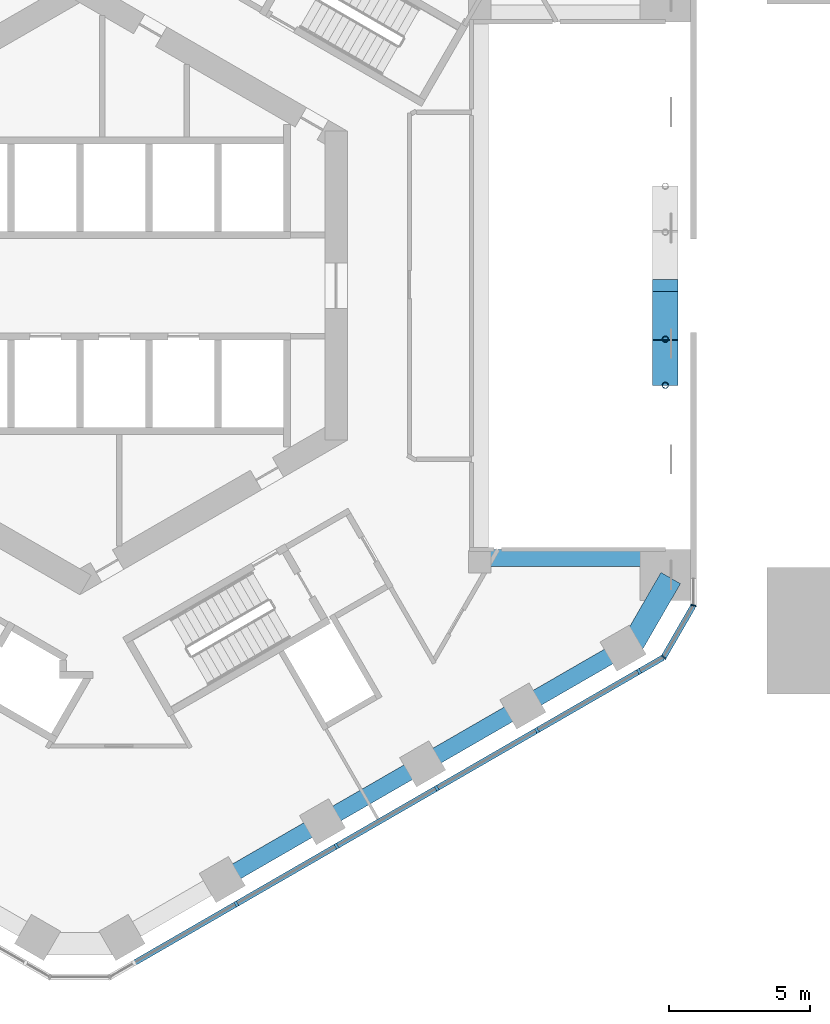
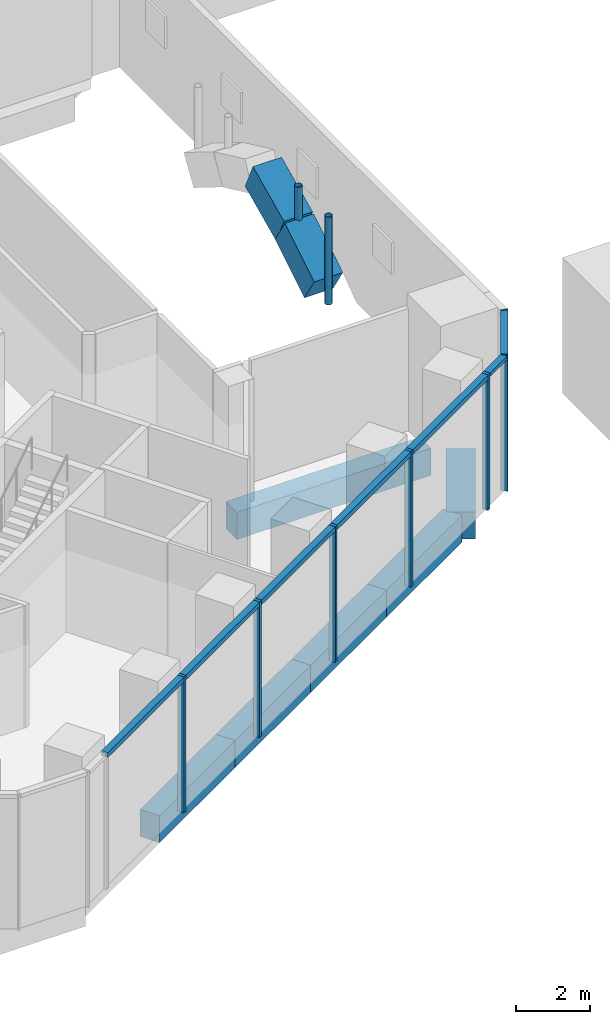
# One storey, part 4 of 14: 12 members, 8 beams, 2 elements without a shape of their own.
"""IFC4 building model written with IfcOpenShell, lengths in metres."""

from ifc_helpers import new_model, si_unit, direction, frame, origin, origin_2d, place, context, subcontext, project, spatial, rectangle, hollow_circle, extrude, material, layer, layer_set, material_profile, profile_set, type_object, element, aggregate, save


model = new_model("IFC4")

# Units and contexts
model_context = context("Model", 3, precision=1e-05, world=origin(), true_north=direction((0.0, 1.0)))
body_context = subcontext(model_context, "Body", "Model", "MODEL_VIEW")
ifc_project = project(units=[si_unit("LENGTHUNIT", "METRE"), si_unit("AREAUNIT", "SQUARE_METRE"), si_unit("VOLUMEUNIT", "CUBIC_METRE"), si_unit("PLANEANGLEUNIT", "RADIAN"), si_unit("MASSUNIT", "GRAM", prefix="KILO")], contexts=[model_context])

# Site, building, storey
site_placement = place(None, origin())
site = spatial("IfcSite", under=ifc_project, at=site_placement, CompositionType="ELEMENT")
building_placement = place(site_placement, origin())
building = spatial("IfcBuilding", under=site, at=building_placement, Name="Ayvan Gate Tower", CompositionType="ELEMENT")
storey_placement = place(building_placement, frame((0.0, 0.0, 16.0)))
storey = spatial("IfcBuildingStorey", under=building, at=storey_placement, Name="L03", CompositionType="ELEMENT", Elevation=16.0)

# Beams
ifc_material_1 = material(Name="Concrete C60/75", Category="concrete")
ifc_material_profile_1 = material_profile(ifc_material_1, rectangle(XDim=0.89990234375, YDim=1.0, at=origin_2d()), Name="RC 900x1000")
ifc_profile_set_1 = profile_set([ifc_material_profile_1], Name="Concrete C60/75")
beam_type_1 = type_object("IfcBeamType", Name="Arch rib RC 900x1000 C60/75", PredefinedType="BEAM", material=ifc_profile_set_1)
for number, where, z_axis, x_axis, name in (
    (1, (20.78466796875, -3.271484375, 0.762939453125), (0.0, 0.848813766161, 0.528691961709), (-1.0, 0.0, 0.0), "AR-0-9"),
    (2, (20.78466796875, -1.688720703125, 1.748779296875), (0.0, 0.905627110622, 0.424074918506), (-1.0, 0.0, 0.0), "AR-0-10"),
):
    element("IfcBeam", number, at=place(storey_placement, frame(where, z_axis=z_axis, x_axis=x_axis)), inside=storey, type_object=beam_type_1, Name=name, PredefinedType="BEAM", context=body_context, shape_type="SweptSolid", body=[
        extrude(rectangle(XDim=0.89990234375, YDim=1.0, at=origin_2d()), origin(), (0.0, 0.0, 1.0), 1.86474609375),
    ])

# Members
ifc_material_2 = material(Name="Steel S460NH", Category="steel")
ifc_material_profile_2 = material_profile(ifc_material_2, hollow_circle(Radius=0.109619140625, WallThickness=0.012451171875, at=origin_2d()), Name="CHS 219.1x12.5")
ifc_profile_set_2 = profile_set([ifc_material_profile_2], Name="Steel S460NH")
member_type_1 = type_object("IfcMemberType", Name="Arch rib hanger CHS 219.1x12.5", PredefinedType="STRUT", material=ifc_profile_set_2)
member_1_placement = place(storey_placement, frame((20.78466796875, -3.535888671875, 0.33837890625), z_axis=(0.0, 0.0, 1.0), x_axis=(1.0, 0.0, 0.0)))
element("IfcMember", 3, at=member_1_placement, inside=storey, type_object=member_type_1, Name="ARH-0-9", PredefinedType="STRUT", context=body_context, shape_type="SweptSolid", body=[
    extrude(hollow_circle(Radius=0.109619140625, WallThickness=0.012451171875, at=origin_2d()), origin(), (0.0, 0.0, 1.0), 2.91162109375),
])
member_2_placement = place(storey_placement, frame((20.78466796875, -1.90087890625, 1.2958984375), z_axis=(0.0, 0.0, 1.0), x_axis=(1.0, 0.0, 0.0)))
element("IfcMember", 4, at=member_2_placement, inside=storey, type_object=member_type_1, Name="ARH-0-10", PredefinedType="STRUT", context=body_context, shape_type="SweptSolid", body=[
    extrude(hollow_circle(Radius=0.109619140625, WallThickness=0.012451171875, at=origin_2d()), origin(), (0.0, 0.0, 1.0), 1.9541015625),
])

# Beams
ifc_material_3 = material(Name="Concrete C40/50", Category="concrete")
ifc_material_profile_3 = material_profile(ifc_material_3, rectangle(XDim=0.800048828125, YDim=0.89990234375, at=origin_2d()), Name="RC 800x900")
ifc_profile_set_3 = profile_set([ifc_material_profile_3], Name="Concrete C40/50")
beam_type_2 = type_object("IfcBeamType", Name="Corner spandrel beam RC 800x900 C40/50", PredefinedType="BEAM", material=ifc_profile_set_3)
beam_1_placement = place(storey_placement, frame((19.47509765625, -12.97607421875, -0.85009765625), z_axis=(0.499990139034, 0.866031096941, 0.0), x_axis=(-0.866031096941, 0.499990139034, 0.0)))
element("IfcBeam", 5, at=beam_1_placement, inside=storey, type_object=beam_type_2, Name="SB-L03-36", PredefinedType="BEAM", context=body_context, shape_type="SweptSolid", body=[
    extrude(rectangle(XDim=0.800048828125, YDim=0.89990234375, at=origin_2d()), origin(), (0.0, 0.0, 1.0), 3.0),
])
ifc_material_profile_4 = material_profile(ifc_material_3, rectangle(XDim=0.60009765625, YDim=0.89990234375, at=origin_2d()), Name="RC 600x900")
ifc_profile_set_4 = profile_set([ifc_material_profile_4], Name="Concrete C40/50")
beam_type_3 = type_object("IfcBeamType", Name="Opening edge beam RC 600x900 C40/50", PredefinedType="BEAM", material=ifc_profile_set_4)
beam_2_placement = place(storey_placement, frame((20.28466796875, -9.66796875, -0.85009765625), z_axis=(-1.0, 0.0, 0.0), x_axis=(0.0, -1.0, 0.0)))
element("IfcBeam", 6, at=beam_2_placement, inside=storey, type_object=beam_type_3, Name="OB-L03-0-A", PredefinedType="BEAM", context=body_context, shape_type="SweptSolid", body=[
    extrude(rectangle(XDim=0.60009765625, YDim=0.89990234375, at=origin_2d()), origin(), (0.0, 0.0, 1.0), 6.084716796875),
])
ifc_material_profile_5 = material_profile(ifc_material_3, rectangle(XDim=0.60009765625, YDim=0.89990234375, at=origin_2d()), Name="RC 600x900")
ifc_profile_set_5 = profile_set([ifc_material_profile_5], Name="Concrete C40/50")
beam_type_4 = type_object("IfcBeamType", Name="Spandrel beam RC 600x900 C40/50", PredefinedType="BEAM", material=ifc_profile_set_5)
for number, where, z_axis, x_axis, name in (
    (7, (5.056884765625, -21.080322265625, -0.85009765625), (0.866036113234, 0.499981450231, 0.0), (-0.499981450231, 0.866036113234, 0.0), "SB-L03-32"),
    (8, (8.61376953125, -19.02685546875, -0.85009765625), (0.866010373586, 0.500026032164, 0.0), (-0.500026032164, 0.866010373586, 0.0), "SB-L03-33"),
    (9, (12.170654296875, -16.97314453125, -0.85009765625), (0.866050971923, 0.499955712069, 0.0), (-0.499955712069, 0.866050971923, 0.0), "SB-L03-34"),
    (10, (15.727783203125, -14.919677734375, -0.85009765625), (0.866010373586, 0.500026032164, 0.0), (-0.500026032164, 0.866010373586, 0.0), "SB-L03-35"),
):
    element("IfcBeam", number, at=place(storey_placement, frame(where, z_axis=z_axis, x_axis=x_axis)), inside=storey, type_object=beam_type_4, Name=name, PredefinedType="BEAM", context=body_context, shape_type="SweptSolid", body=[
        extrude(rectangle(XDim=0.60009765625, YDim=0.89990234375, at=origin_2d()), origin(), (0.0, 0.0, 1.0), 4.107177734375),
    ])

# Curtain wall, members
ifc_material_4 = material(Name="Bronze anodised aluminium", Category="aluminium")
ifc_layer_1 = layer(ifc_material_4, 0.199951171875)
ifc_layer_set_1 = layer_set([ifc_layer_1], Name="Bronze anodised aluminium")
curtain_wall_type_1 = type_object("IfcCurtainWallType", Name="Stick curtain wall CW-3", PredefinedType="NOTDEFINED", material=ifc_layer_set_1)
curtain_wall_1_placement = place(storey_placement, origin())
curtain_wall_1 = element("IfcCurtainWall", 11, at=curtain_wall_1_placement, inside=storey, type_object=curtain_wall_type_1, Name="Stick curtain wall CW-3 L03", PredefinedType="NOTDEFINED")
ifc_material_profile_6 = material_profile(ifc_material_4, rectangle(XDim=0.199951171875, YDim=0.10009765625, at=origin_2d()), Name="Stick curtain wall CW-3 mullion 200 x 100")
ifc_profile_set_6 = profile_set([ifc_material_profile_6], Name="Bronze anodised aluminium")
member_type_2 = type_object("IfcMemberType", Name="Stick curtain wall CW-3 mullion 200 x 100", PredefinedType="MULLION", material=ifc_profile_set_6)
member_3_placement = place(storey_placement, frame((5.55712890625, -21.9462890625, 0.0), z_axis=(0.0, 0.0, 1.0), x_axis=(0.5, -0.866025403784, 0.0)))
member_3 = element("IfcMember", 12, at=member_3_placement, type_object=member_type_2, Name="CW-3 mullion 2", PredefinedType="MULLION", context=body_context, shape_type="SweptSolid", body=[
    extrude(rectangle(XDim=0.199951171875, YDim=0.10009765625, at=origin_2d()), origin(), (0.0, 0.0, 1.0), 4.5),
])
member_4_placement = place(storey_placement, frame((9.11376953125, -19.892822265625, 0.0), z_axis=(0.0, 0.0, 1.0), x_axis=(0.5, -0.866025403784, 0.0)))
member_4 = element("IfcMember", 13, at=member_4_placement, type_object=member_type_2, Name="CW-3 mullion 3", PredefinedType="MULLION", context=body_context, shape_type="SweptSolid", body=[
    extrude(rectangle(XDim=0.199951171875, YDim=0.10009765625, at=origin_2d()), origin(), (0.0, 0.0, 1.0), 4.5),
])
member_5_placement = place(storey_placement, frame((12.670654296875, -17.83935546875, 0.0), z_axis=(0.0, 0.0, 1.0), x_axis=(0.5, -0.866025403784, 0.0)))
member_5 = element("IfcMember", 14, at=member_5_placement, type_object=member_type_2, Name="CW-3 mullion 4", PredefinedType="MULLION", context=body_context, shape_type="SweptSolid", body=[
    extrude(rectangle(XDim=0.199951171875, YDim=0.10009765625, at=origin_2d()), origin(), (0.0, 0.0, 1.0), 4.5),
])
member_6_placement = place(storey_placement, frame((16.227294921875, -15.785888671875, 0.0), z_axis=(0.0, 0.0, 1.0), x_axis=(0.5, -0.866025403784, 0.0)))
member_6 = element("IfcMember", 15, at=member_6_placement, type_object=member_type_2, Name="CW-3 mullion 5", PredefinedType="MULLION", context=body_context, shape_type="SweptSolid", body=[
    extrude(rectangle(XDim=0.199951171875, YDim=0.10009765625, at=origin_2d()), origin(), (0.0, 0.0, 1.0), 4.5),
])
member_7_placement = place(storey_placement, frame((19.855224609375, -13.691162109375, 0.0), z_axis=(0.0, 0.0, 1.0), x_axis=(0.5, -0.866025403784, 0.0)))
member_7 = element("IfcMember", 16, at=member_7_placement, type_object=member_type_2, Name="CW-3 mullion 6", PredefinedType="MULLION", context=body_context, shape_type="SweptSolid", body=[
    extrude(rectangle(XDim=0.199951171875, YDim=0.10009765625, at=origin_2d()), origin(), (0.0, 0.0, 1.0), 4.5),
])
ifc_material_profile_7 = material_profile(ifc_material_4, rectangle(XDim=0.199951171875, YDim=0.159912109375, at=origin_2d()), Name="Stick curtain wall CW-3 transom 200 x 160")
ifc_profile_set_7 = profile_set([ifc_material_profile_7], Name="Bronze anodised aluminium")
member_type_3 = type_object("IfcMemberType", Name="Stick curtain wall CW-3 transom 200 x 160", PredefinedType="USERDEFINED", material=ifc_profile_set_7)
member_8_placement = place(storey_placement, frame((1.92919921875, -24.040771484375, 4.419921875), z_axis=(0.866025115303, 0.500000499665, 0.0), x_axis=(-0.500000499665, 0.866025115303, 0.0)))
member_8 = element("IfcMember", 17, at=member_8_placement, type_object=member_type_3, Name="CW-3 transom 1", ObjectType="TRANSOM", PredefinedType="USERDEFINED", context=body_context, shape_type="SweptSolid", body=[
    extrude(rectangle(XDim=0.199951171875, YDim=0.159912109375, at=origin_2d()), origin(), (0.0, 0.0, 1.0), 20.69921875),
])
aggregate(curtain_wall_1, [member_3, member_4, member_5, member_6, member_7, member_8])

ifc_layer_2 = layer(ifc_material_4, 0.199951171875)
ifc_layer_set_2 = layer_set([ifc_layer_2], Name="Bronze anodised aluminium")
curtain_wall_type_2 = type_object("IfcCurtainWallType", Name="Stick curtain wall CW-6", PredefinedType="NOTDEFINED", material=ifc_layer_set_2)
curtain_wall_2_placement = place(storey_placement, origin())
curtain_wall_2 = element("IfcCurtainWall", 18, at=curtain_wall_2_placement, inside=storey, type_object=curtain_wall_type_2, Name="Stick curtain wall CW-6 L03", PredefinedType="NOTDEFINED")
ifc_material_profile_8 = material_profile(ifc_material_4, rectangle(XDim=0.199951171875, YDim=0.050048828125, at=origin_2d()), Name="Stick curtain wall CW-6 mullion 200 x 50")
ifc_profile_set_8 = profile_set([ifc_material_profile_8], Name="Bronze anodised aluminium")
member_type_4 = type_object("IfcMemberType", Name="Stick curtain wall CW-6 mullion 200 x 50", PredefinedType="MULLION", material=ifc_profile_set_8)
member_9_placement = place(storey_placement, frame((20.721435546875, -13.191162109375, 0.0), z_axis=(0.0, 0.0, 1.0), x_axis=(0.707106781187, -0.707106781187, 0.0)))
member_9 = element("IfcMember", 19, at=member_9_placement, type_object=member_type_4, Name="CW-6 mullion 2", PredefinedType="MULLION", context=body_context, shape_type="SweptSolid", body=[
    extrude(rectangle(XDim=0.199951171875, YDim=0.050048828125, at=origin_2d()), origin(), (0.0, 0.0, 1.0), 4.5),
])
member_10_placement = place(storey_placement, frame((21.78466796875, -11.349609375, 0.0), z_axis=(0.0, 0.0, 1.0), x_axis=(0.965925826289, -0.258819045103, 0.0)))
member_10 = element("IfcMember", 20, at=member_10_placement, type_object=member_type_4, Name="CW-6 mullion 3", PredefinedType="MULLION", context=body_context, shape_type="SweptSolid", body=[
    extrude(rectangle(XDim=0.199951171875, YDim=0.050048828125, at=origin_2d()), origin(), (0.0, 0.0, 1.0), 4.5),
])
ifc_material_profile_9 = material_profile(ifc_material_4, rectangle(XDim=0.199951171875, YDim=0.1201171875, at=origin_2d()), Name="Stick curtain wall CW-6 transom 200 x 120")
ifc_profile_set_9 = profile_set([ifc_material_profile_9], Name="Bronze anodised aluminium")
member_type_5 = type_object("IfcMemberType", Name="Stick curtain wall CW-6 transom 200 x 120", PredefinedType="USERDEFINED", material=ifc_profile_set_9)
member_11_placement = place(storey_placement, frame((19.898681640625, -13.666259765625, 4.43994140625), z_axis=(0.865943820382, 0.500141279983, 0.0), x_axis=(-0.500141279983, 0.865943820382, 0.0)))
member_11 = element("IfcMember", 21, at=member_11_placement, type_object=member_type_5, Name="CW-6 transom 1", ObjectType="TRANSOM", PredefinedType="USERDEFINED", context=body_context, shape_type="SweptSolid", body=[
    extrude(rectangle(XDim=0.199951171875, YDim=0.1201171875, at=origin_2d()), origin(), (0.0, 0.0, 1.0), 0.925048828125),
])
member_12_placement = place(storey_placement, frame((20.73388671875, -13.169677734375, 4.43994140625), z_axis=(0.500020978615, 0.866013291437, 0.0), x_axis=(-0.866013291437, 0.500020978615, 0.0)))
member_12 = element("IfcMember", 22, at=member_12_placement, type_object=member_type_5, Name="CW-6 transom 2", ObjectType="TRANSOM", PredefinedType="USERDEFINED", context=body_context, shape_type="SweptSolid", body=[
    extrude(rectangle(XDim=0.199951171875, YDim=0.1201171875, at=origin_2d()), origin(), (0.0, 0.0, 1.0), 2.07666015625),
])
aggregate(curtain_wall_2, [member_9, member_10, member_11, member_12])

save(model, "model.ifc")
